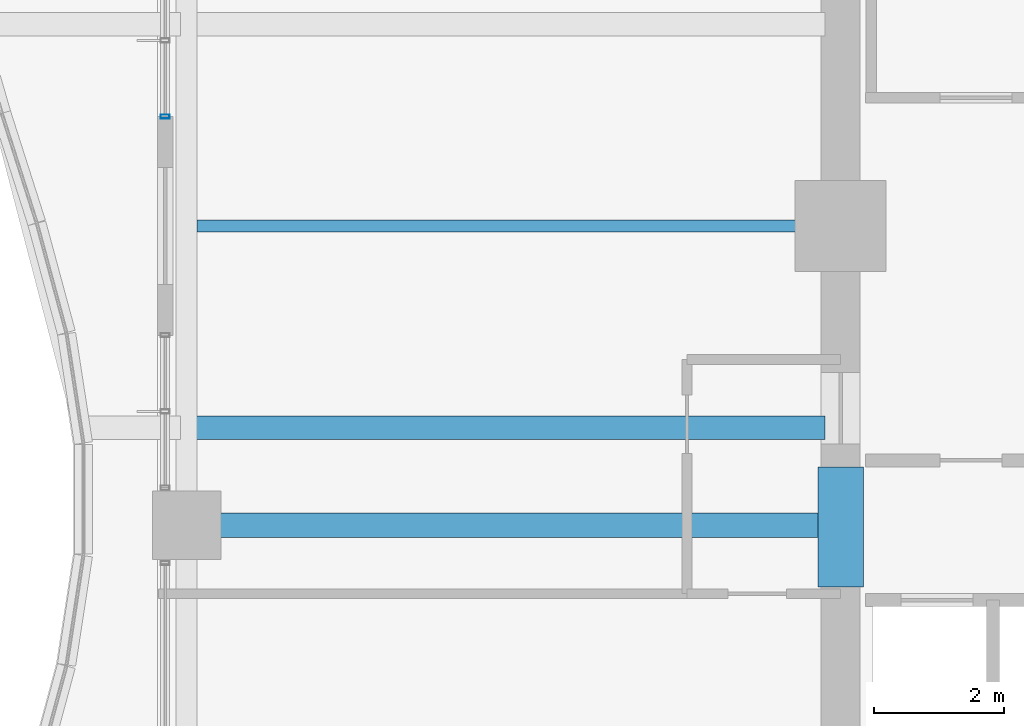
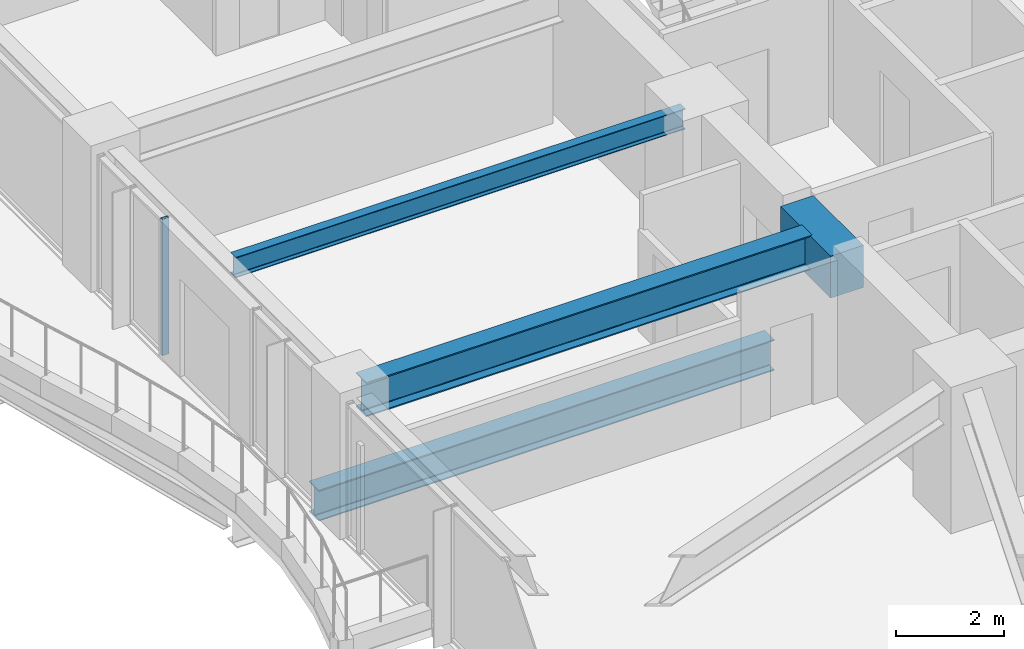
# One storey, part 8 of 38: 4 beams, 1 member, 1 element without a shape of its own.
"""IFC4 building model written with IfcOpenShell, lengths in metres."""

import ifcopenshell
import ifcopenshell.guid

model = None  # the IFC model being written
_history = None  # IfcOwnerHistory: only IFC2X3 demands one
_inside = {}  # id of a spatial element -> (the spatial element, [elements in it])
_under = {}  # id of a project, library or spatial element -> (it, [spatial elements below it])
_declared = {}  # id of a project -> (the project, [libraries it declares])
_typed = {}  # id of a type object -> (the type object, [elements of that type])
_made_of = {}  # id of a material, layer set ... -> (it, [elements and type objects made of it])


def new_model(schema):
    """Start an empty IFC model of exactly this schema.

    Asked for "IFC4X3", IfcOpenShell would pick the latest addendum, in which some entities
    have other attributes; the version numbers below select the first issue.
    IFC2X3 requires an IfcOwnerHistory on every rooted entity: one is made here for all.
    """
    global model, _history
    if schema == "IFC4X3":
        model = ifcopenshell.file(schema_version=(4, 3, 0, 0))
    else:
        model = ifcopenshell.file(schema=schema)
    _inside.clear()
    _under.clear()
    _declared.clear()
    _typed.clear()
    _made_of.clear()
    _history = None
    if model.schema == "IFC2X3":
        org = make("IfcOrganization", Name="unknown")
        user = make(
            "IfcPersonAndOrganization",
            ThePerson=make("IfcPerson", FamilyName="unknown"),
            TheOrganization=org,
        )
        app = make(
            "IfcApplication",
            ApplicationDeveloper=org,
            Version="unknown",
            ApplicationFullName="unknown",
            ApplicationIdentifier="unknown",
        )
        _history = make(
            "IfcOwnerHistory",
            OwningUser=user,
            OwningApplication=app,
            ChangeAction="ADDED",
            CreationDate=0,
        )
    return model


def make(cls, **values):
    """One entity of the class cls with the attributes given. An attribute that is None is left unset."""
    return model.create_entity(
        cls, **{name: value for name, value in values.items() if value is not None}
    )


def rooted(cls, **values):
    """An entity with a GlobalId (a new one), such as an element, a storey or a relation."""
    return make(cls, GlobalId=ifcopenshell.guid.new(), OwnerHistory=_history, **values)


def si_unit(unit_type, name, prefix=None):
    """IfcSIUnit, for example si_unit("LENGTHUNIT", "METRE", prefix="MILLI")."""
    return make("IfcSIUnit", UnitType=unit_type, Prefix=prefix, Name=name)


def assignment(units):
    """IfcUnitAssignment: the units of a project."""
    return None if units is None else make("IfcUnitAssignment", Units=units)


def point(xyz):
    """IfcCartesianPoint."""
    return None if xyz is None else make("IfcCartesianPoint", Coordinates=xyz)


def direction(xyz):
    """IfcDirection."""
    return None if xyz is None else make("IfcDirection", DirectionRatios=xyz)


def frame(location, z_axis=None, x_axis=None):
    """IfcAxis2Placement3D, a coordinate frame: its origin and axes. An axis left out is left unset."""
    return make(
        "IfcAxis2Placement3D",
        Location=point(location),
        Axis=direction(z_axis),
        RefDirection=direction(x_axis),
    )


def frame_2d(location, x_axis=None):
    """IfcAxis2Placement2D, a coordinate frame in the plane: its origin and x axis."""
    return make(
        "IfcAxis2Placement2D", Location=point(location), RefDirection=direction(x_axis)
    )


def origin():
    """The frame at (0, 0, 0) with its axes left unset."""
    return frame((0.0, 0.0, 0.0))


def origin_2d():
    """The frame at (0, 0) in the plane with its x axis left unset."""
    return frame_2d((0.0, 0.0))


def place(relative_to, where):
    """IfcLocalPlacement: puts the frame where relative to a parent placement (None: the world)."""
    return make(
        "IfcLocalPlacement", PlacementRelTo=relative_to, RelativePlacement=where
    )


def context(
    kind, dimensions, precision=None, world=None, true_north=None, identifier=None
):
    """IfcGeometricRepresentationContext, for example the 3D "Model" context."""
    return make(
        "IfcGeometricRepresentationContext",
        ContextIdentifier=identifier,
        ContextType=kind,
        CoordinateSpaceDimension=dimensions,
        Precision=precision,
        WorldCoordinateSystem=world,
        TrueNorth=true_north,
    )


def subcontext(parent, identifier, kind, view, scale=None):
    """IfcGeometricRepresentationSubContext, for example "Body" below "Model"."""
    return make(
        "IfcGeometricRepresentationSubContext",
        ContextIdentifier=identifier,
        ContextType=kind,
        ParentContext=parent,
        TargetScale=scale,
        TargetView=view,
    )


def project(units=None, contexts=None):
    """IfcProject with its units and contexts."""
    return rooted(
        "IfcProject",
        Name="project",
        RepresentationContexts=contexts,
        UnitsInContext=assignment(units),
    )


def spatial(cls, under=None, at=None, **own):
    """A site, building, storey or space (cls), placed at a placement, below another one or the project."""
    s = rooted(cls, ObjectPlacement=at, **own)
    if under is not None:
        _under.setdefault(under.id(), (under, []))[1].append(s)
    return s


def profile(cls, at=None, kind="AREA", **sizes):
    """A parametric profile (cls). Its sizes go by their IFC names, for example OverallWidth=200.0."""
    return make(cls, ProfileType=kind, Position=at, **sizes)


def rectangle(**sizes):
    """IfcRectangleProfileDef."""
    return profile("IfcRectangleProfileDef", **sizes)


def hollow_rectangle(**sizes):
    """IfcRectangleHollowProfileDef."""
    return profile("IfcRectangleHollowProfileDef", **sizes)


def i_section(**sizes):
    """IfcIShapeProfileDef."""
    return profile("IfcIShapeProfileDef", **sizes)


def extrude(swept, where, along, depth):
    """IfcExtrudedAreaSolid: the profile swept, set in the frame where, extruded along a direction by depth."""
    return make(
        "IfcExtrudedAreaSolid",
        SweptArea=swept,
        Position=where,
        ExtrudedDirection=direction(along),
        Depth=depth,
    )


def shape(context_of_items, identifier, shape_type, items):
    """IfcShapeRepresentation: the items that make up one representation, for example the "Body"."""
    return make(
        "IfcShapeRepresentation",
        ContextOfItems=context_of_items,
        RepresentationIdentifier=identifier,
        RepresentationType=shape_type,
        Items=items,
    )


def material(Name=None, Category=None):
    """IfcMaterial."""
    return make("IfcMaterial", Name=Name, Category=Category)


def material_profile(
    of_material, cross_section, Name=None, Category=None, Priority=None
):
    """IfcMaterialProfile: a cross section and its material."""
    return make(
        "IfcMaterialProfile",
        Name=Name,
        Material=of_material,
        Profile=cross_section,
        Priority=Priority,
        Category=Category,
    )


def profile_set(profiles, Name=None, composite=None):
    """IfcMaterialProfileSet."""
    return make(
        "IfcMaterialProfileSet",
        Name=Name,
        MaterialProfiles=profiles,
        CompositeProfile=composite,
    )


def made_of(thing, what):
    """Note that an element or type object is made of a material, layer set ...; save() writes the relation."""
    if what is not None:
        _made_of.setdefault(what.id(), (what, []))[1].append(thing)
    return thing


def type_object(cls, material=None, **own):
    """A type object (cls), such as IfcWallType, which elements share."""
    return made_of(rooted(cls, **own), material)


def element(
    cls,
    number,
    at=None,
    inside=None,
    cuts=None,
    type_object=None,
    material=None,
    context=None,
    identifier="Body",
    shape_type=None,
    held_by="IfcProductDefinitionShape",
    body=None,
    shapes=None,
    **own,
):
    """One element of the class cls, such as IfcWall. Its Tag is "e" and its number.

    at: its placement. inside: the storey or other place that contains it. cuts: it is an
    opening in that element (IfcRelVoidsElement). A single representation is given by context,
    identifier, shape_type and body (its items); several are given by shapes. held_by: the class
    of the entity that holds the representations. save() writes the other relations.
    """
    e = rooted(cls, Tag="e%d" % number, ObjectPlacement=at, **own)
    if body is not None:
        shapes = [shape(context, identifier, shape_type, body)]
    if shapes is not None:
        e.Representation = make(held_by, Representations=shapes)
    if inside is not None:
        _inside.setdefault(inside.id(), (inside, []))[1].append(e)
    if cuts is not None:
        rooted(
            "IfcRelVoidsElement", RelatingBuildingElement=cuts, RelatedOpeningElement=e
        )
    if type_object is not None:
        _typed.setdefault(type_object.id(), (type_object, []))[1].append(e)
    return made_of(e, material)


def aggregate(whole, parts):
    """IfcRelAggregates: a whole, such as a stair, and the parts it consists of."""
    return rooted("IfcRelAggregates", RelatingObject=whole, RelatedObjects=parts)


def save(model, path):
    """Write the relations noted so far, then the file.

    IfcRelAggregates (storeys below a building ...), IfcRelContainedInSpatialStructure (elements
    in a storey), IfcRelDefinesByType, IfcRelAssociatesMaterial and IfcRelDeclares: one each for
    every whole, place, type object, material and project.
    """
    for whole, parts in _under.values():
        aggregate(whole, parts)
    for where, things in _inside.values():
        rooted(
            "IfcRelContainedInSpatialStructure",
            RelatedElements=things,
            RelatingStructure=where,
        )
    for kind, things in _typed.values():
        rooted("IfcRelDefinesByType", RelatedObjects=things, RelatingType=kind)
    for what, things in _made_of.values():
        rooted("IfcRelAssociatesMaterial", RelatedObjects=things, RelatingMaterial=what)
    for by, libraries in _declared.values():
        rooted("IfcRelDeclares", RelatingContext=by, RelatedDefinitions=libraries)
    model.write(path)


model = new_model("IFC4")

# Units and contexts
model_context = context("Model", 3, precision=1e-05, world=origin(), true_north=direction((0.0, 1.0)))
body_context = subcontext(model_context, "Body", "Model", "MODEL_VIEW")
ifc_project = project(units=[si_unit("LENGTHUNIT", "METRE"), si_unit("AREAUNIT", "SQUARE_METRE"), si_unit("VOLUMEUNIT", "CUBIC_METRE"), si_unit("PLANEANGLEUNIT", "RADIAN"), si_unit("MASSUNIT", "GRAM", prefix="KILO")], contexts=[model_context])

# Site, building, storey
site_placement = place(None, origin())
site = spatial("IfcSite", under=ifc_project, at=site_placement, CompositionType="ELEMENT")
building_placement = place(site_placement, origin())
building = spatial("IfcBuilding", under=site, at=building_placement, Name="Kolvaren Belvedere", CompositionType="ELEMENT")
storey_placement = place(building_placement, frame((0.0, 0.0, 101.89990234375)))
storey = spatial("IfcBuildingStorey", under=building, at=storey_placement, Name="L29", CompositionType="ELEMENT", Elevation=101.89990234375)

# Beams
ifc_material_1 = material(Name="Structural steel ASTM A992 Grade 50", Category="steel")
ifc_material_profile_1 = material_profile(ifc_material_1, i_section(OverallWidth=0.35498046875, OverallDepth=0.696044921875, WebThickness=0.015380859375, FlangeThickness=0.02490234375, FilletRadius=0.02197265625, at=origin_2d()), Name="W27X146")
ifc_profile_set_1 = profile_set([ifc_material_profile_1], Name="Structural steel ASTM A992 Grade 50")
beam_type_1 = type_object("IfcBeamType", Name="BM-GIRD-W27X146", PredefinedType="BEAM", material=ifc_profile_set_1)
beam_1_placement = place(storey_placement, frame((-10.139892578125, -3.10009765625, -0.56787109375), z_axis=(-1.0, 0.0, 0.0), x_axis=(0.0, -1.0, 0.0)))
element("IfcBeam", 1, at=beam_1_placement, inside=storey, type_object=beam_type_1, Name="L29 Balcony Interior Back-Span Girder BAL-W-1", PredefinedType="BEAM", context=body_context, shape_type="SweptSolid", body=[
    extrude(i_section(OverallWidth=0.35498046875, OverallDepth=0.696044921875, WebThickness=0.015380859375, FlangeThickness=0.02490234375, FilletRadius=0.02197265625, at=origin_2d()), origin(), (0.0, 0.0, 1.0), 9.715087890625),
])
ifc_material_2 = material(Name="Structural steel ASTM A992 Grade 50", Category="steel")
ifc_material_profile_2 = material_profile(ifc_material_2, i_section(OverallWidth=0.381103515625, OverallDepth=0.77294921875, WebThickness=0.0166015625, FlangeThickness=0.027099609375, FilletRadius=0.02392578125, at=origin_2d()), Name="W30X173")
ifc_profile_set_2 = profile_set([ifc_material_profile_2], Name="Structural steel ASTM A992 Grade 50")
beam_type_2 = type_object("IfcBeamType", Name="BM-GIRD-W30X173", PredefinedType="BEAM", material=ifc_profile_set_2)
beam_2_placement = place(storey_placement, frame((-10.199951171875, -4.60009765625, 2.693603515625), z_axis=(-1.0, 0.0, 0.0), x_axis=(0.0, -1.0, 0.0)))
element("IfcBeam", 2, at=beam_2_placement, inside=storey, type_object=beam_type_2, Name="L29 West Radial Girder M", PredefinedType="BEAM", context=body_context, shape_type="SweptSolid", body=[
    extrude(i_section(OverallWidth=0.381103515625, OverallDepth=0.77294921875, WebThickness=0.0166015625, FlangeThickness=0.027099609375, FilletRadius=0.02392578125, at=origin_2d()), origin(), (0.0, 0.0, 1.0), 9.513916015625),
])
ifc_material_3 = material(Name="Structural steel ASTM A992 Grade 50", Category="steel")
ifc_material_profile_3 = material_profile(ifc_material_3, i_section(OverallWidth=0.19091796875, OverallDepth=0.4599609375, WebThickness=0.010009765625, FlangeThickness=0.01611328125, FilletRadius=0.014892578125, at=origin_2d()), Name="W18X55")
ifc_profile_set_3 = profile_set([ifc_material_profile_3], Name="Structural steel ASTM A992 Grade 50")
beam_type_3 = type_object("IfcBeamType", Name="BM-JOIST-W18X55", PredefinedType="BEAM", material=ifc_profile_set_3)
beam_3_placement = place(storey_placement, frame((-10.199951171875, 0.0, 2.85009765625), z_axis=(-1.0, 0.0, 0.0), x_axis=(0.0, -1.0, 0.0)))
element("IfcBeam", 3, at=beam_3_placement, inside=storey, type_object=beam_type_3, Name="L29 West Centre Floor Beam", PredefinedType="BEAM", context=body_context, shape_type="SweptSolid", body=[
    extrude(i_section(OverallWidth=0.19091796875, OverallDepth=0.4599609375, WebThickness=0.010009765625, FlangeThickness=0.01611328125, FilletRadius=0.014892578125, at=origin_2d()), origin(), (0.0, 0.0, 1.0), 9.587646484375),
])
ifc_material_4 = material(Name="Concrete C60/75", Category="concrete")
ifc_material_profile_4 = material_profile(ifc_material_4, rectangle(XDim=0.699951171875, YDim=0.949951171875, at=origin_2d()), Name="RC 700X950")
ifc_profile_set_4 = profile_set([ifc_material_profile_4], Name="Concrete C60/75")
beam_type_4 = type_object("IfcBeamType", Name="BM-LINT-950", PredefinedType="LINTEL", material=ifc_profile_set_4)
beam_4_placement = place(storey_placement, frame((-9.89990234375, -5.550048828125, 2.60498046875), z_axis=(0.0, 1.0, 0.0), x_axis=(-1.0, 0.0, 0.0)))
element("IfcBeam", 4, at=beam_4_placement, inside=storey, type_object=beam_type_4, Name="L29 West Core Coupling Lintel", PredefinedType="LINTEL", context=body_context, shape_type="SweptSolid", body=[
    extrude(rectangle(XDim=0.699951171875, YDim=0.949951171875, at=origin_2d()), origin(), (0.0, 0.0, 1.0), 1.85009765625),
])

# Curtain wall, member
ifc_material_5 = material(Name="Anodised pale-metal aluminium AA 6063-T6", Category="aluminium")
curtain_wall_type = type_object("IfcCurtainWallType", Name="CW-Z2-MID", PredefinedType="NOTDEFINED", material=ifc_material_5)
curtain_wall_placement = place(storey_placement, origin())
curtain_wall = element("IfcCurtainWall", 5, at=curtain_wall_placement, inside=storey, type_object=curtain_wall_type, Name="L29 Unitised Curtain Wall FCW-L29-W2-B1", PredefinedType="NOTDEFINED")
ifc_material_6 = material(Name="Anodised pale-metal aluminium AA 6063-T6", Category="aluminium")
ifc_material_profile_5 = material_profile(ifc_material_6, hollow_rectangle(XDim=0.06494140625, YDim=0.139892578125, WallThickness=0.00390625, at=origin_2d()), Name="ALU-MUL-140X65")
ifc_profile_set_5 = profile_set([ifc_material_profile_5], Name="Anodised pale-metal aluminium AA 6063-T6")
member_type = type_object("IfcMemberType", Name="CW-MUL-140", PredefinedType="MULLION", material=ifc_profile_set_5)
member_placement = place(storey_placement, frame((-20.280029296875, 1.679931640625, 0.0), z_axis=(0.0, 0.0, 1.0), x_axis=(0.0, 1.0, 0.0)))
member = element("IfcMember", 6, at=member_placement, type_object=member_type, Name="FCW-L29-W2-B1 Unitised Mullion 1", PredefinedType="MULLION", context=body_context, shape_type="SweptSolid", body=[
    extrude(hollow_rectangle(XDim=0.06494140625, YDim=0.139892578125, WallThickness=0.00390625, at=origin_2d()), origin(), (0.0, 0.0, 1.0), 3.080078125),
])
aggregate(curtain_wall, [member])

save(model, "model.ifc")
